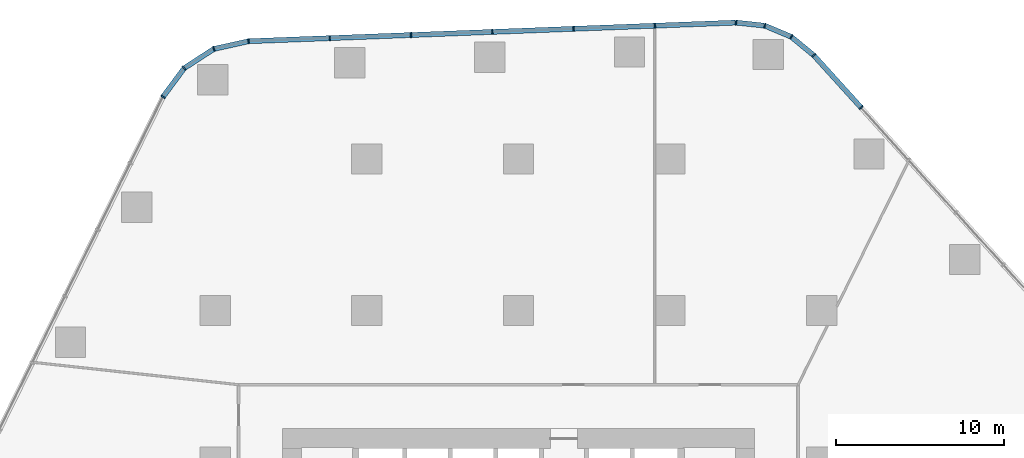
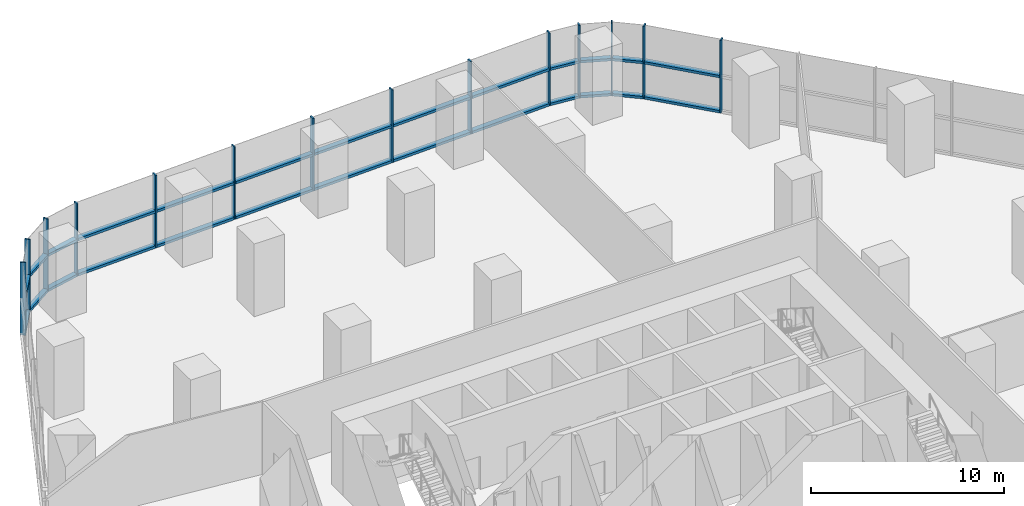
# One storey, part 7 of 15: 40 members, 4 elements without a shape of their own.
"""IFC4 building model written with IfcOpenShell, lengths in metres."""

from ifc_helpers import new_model, si_unit, direction, frame, origin, origin_2d, place, context, subcontext, project, spatial, rectangle, extrude, material, layer, layer_set, material_profile, profile_set, type_object, element, aggregate, save


model = new_model("IFC4")

# Units and contexts
model_context = context("Model", 3, precision=1e-05, world=origin(), true_north=direction((0.0, 1.0)))
body_context = subcontext(model_context, "Body", "Model", "MODEL_VIEW")
ifc_project = project(units=[si_unit("LENGTHUNIT", "METRE"), si_unit("AREAUNIT", "SQUARE_METRE"), si_unit("VOLUMEUNIT", "CUBIC_METRE"), si_unit("PLANEANGLEUNIT", "RADIAN"), si_unit("MASSUNIT", "GRAM", prefix="KILO")], contexts=[model_context])

# Site, building, storey
site_placement = place(None, origin())
site = spatial("IfcSite", under=ifc_project, at=site_placement, CompositionType="ELEMENT")
building_placement = place(site_placement, origin())
building = spatial("IfcBuilding", under=site, at=building_placement, Name="Dongbaek Canopy Tower", CompositionType="ELEMENT")
storey_placement = place(building_placement, frame((0.0, 0.0, 33.0)))
storey = spatial("IfcBuildingStorey", under=building, at=storey_placement, Name="L04", CompositionType="ELEMENT", Elevation=33.0)

# Curtain wall, members
ifc_material_1 = material(Name="Aluminium 6063-T6 pale anodised", Category="aluminium")
ifc_layer = layer(ifc_material_1, 0.300048828125)
ifc_layer_set = layer_set([ifc_layer], Name="CW-2 podium hall curtain wall")
curtain_wall_type = type_object("IfcCurtainWallType", Name="CW-2 podium hall curtain wall", PredefinedType="NOTDEFINED", material=ifc_layer_set)
curtain_wall_1_placement = place(storey_placement, origin())
curtain_wall_1 = element("IfcCurtainWall", 1, at=curtain_wall_1_placement, inside=storey, type_object=curtain_wall_type, Name="CW-2 curtain wall F0.1", PredefinedType="NOTDEFINED")
ifc_material_2 = material(Name="Aluminium 6063-T6 pale anodised", Category="aluminium")
ifc_material_profile_1 = material_profile(ifc_material_2, rectangle(XDim=0.300048828125, YDim=0.080078125, at=origin_2d()), Name="CW-2 mullion 80 x 300")
ifc_profile_set_1 = profile_set([ifc_material_profile_1], Name="Aluminium 6063-T6 pale anodised")
member_type_1 = type_object("IfcMemberType", Name="CW-2 mullion 80 x 300", PredefinedType="MULLION", material=ifc_profile_set_1)
member_1_placement = place(storey_placement, frame((20.33740234375, 30.047607421875, 0.0), z_axis=(0.0, 0.0, 1.0), x_axis=(0.741222236547, 0.671259708345, 0.0)))
member_1 = element("IfcMember", 2, at=member_1_placement, type_object=member_type_1, Name="CW-2 mullion F0.1.7", PredefinedType="MULLION", context=body_context, shape_type="SweptSolid", body=[
    extrude(rectangle(XDim=0.300048828125, YDim=0.080078125, at=origin_2d()), origin(), (0.0, 0.0, 1.0), 4.60009765625),
])
member_2_placement = place(storey_placement, frame((17.5263671875, 33.15185546875, 0.0), z_axis=(0.0, 0.0, 1.0), x_axis=(0.741222236547, 0.671259708345, 0.0)))
member_2 = element("IfcMember", 3, at=member_2_placement, type_object=member_type_1, Name="CW-2 mullion F0.1.8", PredefinedType="MULLION", context=body_context, shape_type="SweptSolid", body=[
    extrude(rectangle(XDim=0.300048828125, YDim=0.080078125, at=origin_2d()), origin(), (0.0, 0.0, 1.0), 4.60009765625),
])

curtain_wall_2_placement = place(storey_placement, origin())
curtain_wall_2 = element("IfcCurtainWall", 4, at=curtain_wall_2_placement, inside=storey, type_object=curtain_wall_type, Name="CW-2 curtain wall K0.1", PredefinedType="NOTDEFINED")
member_3_placement = place(storey_placement, frame((16.200439453125, 34.24462890625, 0.0), z_axis=(0.0, 0.0, 1.0), x_axis=(0.517430788753, 0.855725060315, 0.0)))
member_3 = element("IfcMember", 5, at=member_3_placement, type_object=member_type_1, Name="CW-2 mullion K0.1.2", PredefinedType="MULLION", context=body_context, shape_type="SweptSolid", body=[
    extrude(rectangle(XDim=0.300048828125, YDim=0.080078125, at=origin_2d()), origin(), (0.0, 0.0, 1.0), 4.60009765625),
])
member_4_placement = place(storey_placement, frame((14.62353515625, 34.908203125, 0.0), z_axis=(0.0, 0.0, 1.0), x_axis=(0.250118115276, 0.968215331634, 0.0)))
member_4 = element("IfcMember", 6, at=member_4_placement, type_object=member_type_1, Name="CW-2 mullion K0.1.3", PredefinedType="MULLION", context=body_context, shape_type="SweptSolid", body=[
    extrude(rectangle(XDim=0.300048828125, YDim=0.080078125, at=origin_2d()), origin(), (0.0, 0.0, 1.0), 4.60009765625),
])
member_5_placement = place(storey_placement, frame((12.915283203125, 35.092041015625, 0.0), z_axis=(0.0, 0.0, 1.0), x_axis=(0.107074580622, 0.994250991543, 0.0)))
member_5 = element("IfcMember", 7, at=member_5_placement, type_object=member_type_1, Name="CW-2 mullion K0.1.4", PredefinedType="MULLION", context=body_context, shape_type="SweptSolid", body=[
    extrude(rectangle(XDim=0.300048828125, YDim=0.080078125, at=origin_2d()), origin(), (0.0, 0.0, 1.0), 4.60009765625),
])

curtain_wall_3_placement = place(storey_placement, origin())
curtain_wall_3 = element("IfcCurtainWall", 8, at=curtain_wall_3_placement, inside=storey, type_object=curtain_wall_type, Name="CW-2 curtain wall F1.1", PredefinedType="NOTDEFINED")
member_6_placement = place(storey_placement, frame((8.0986328125, 34.907958984375, 0.0), z_axis=(0.0, 0.0, 1.0), x_axis=(-0.038231975991, 0.999268890746, 0.0)))
member_6 = element("IfcMember", 9, at=member_6_placement, type_object=member_type_1, Name="CW-2 mullion F1.1.2", PredefinedType="MULLION", context=body_context, shape_type="SweptSolid", body=[
    extrude(rectangle(XDim=0.300048828125, YDim=0.080078125, at=origin_2d()), origin(), (0.0, 0.0, 1.0), 4.60009765625),
])
member_7_placement = place(storey_placement, frame((3.27490234375, 34.723388671875, 0.0), z_axis=(0.0, 0.0, 1.0), x_axis=(-0.038231975991, 0.999268890746, 0.0)))
member_7 = element("IfcMember", 10, at=member_7_placement, type_object=member_type_1, Name="CW-2 mullion F1.1.3", PredefinedType="MULLION", context=body_context, shape_type="SweptSolid", body=[
    extrude(rectangle(XDim=0.300048828125, YDim=0.080078125, at=origin_2d()), origin(), (0.0, 0.0, 1.0), 4.60009765625),
])
member_8_placement = place(storey_placement, frame((-1.549072265625, 34.538818359375, 0.0), z_axis=(0.0, 0.0, 1.0), x_axis=(-0.038231975991, 0.999268890746, 0.0)))
member_8 = element("IfcMember", 11, at=member_8_placement, type_object=member_type_1, Name="CW-2 mullion F1.1.4", PredefinedType="MULLION", context=body_context, shape_type="SweptSolid", body=[
    extrude(rectangle(XDim=0.300048828125, YDim=0.080078125, at=origin_2d()), origin(), (0.0, 0.0, 1.0), 4.60009765625),
])
member_9_placement = place(storey_placement, frame((-6.372802734375, 34.354248046875, 0.0), z_axis=(0.0, 0.0, 1.0), x_axis=(-0.038231975991, 0.999268890746, 0.0)))
member_9 = element("IfcMember", 12, at=member_9_placement, type_object=member_type_1, Name="CW-2 mullion F1.1.5", PredefinedType="MULLION", context=body_context, shape_type="SweptSolid", body=[
    extrude(rectangle(XDim=0.300048828125, YDim=0.080078125, at=origin_2d()), origin(), (0.0, 0.0, 1.0), 4.60009765625),
])
member_10_placement = place(storey_placement, frame((-11.19677734375, 34.169677734375, 0.0), z_axis=(0.0, 0.0, 1.0), x_axis=(-0.038231975991, 0.999268890746, 0.0)))
member_10 = element("IfcMember", 13, at=member_10_placement, type_object=member_type_1, Name="CW-2 mullion F1.1.6", PredefinedType="MULLION", context=body_context, shape_type="SweptSolid", body=[
    extrude(rectangle(XDim=0.300048828125, YDim=0.080078125, at=origin_2d()), origin(), (0.0, 0.0, 1.0), 4.60009765625),
])
member_11_placement = place(storey_placement, frame((-16.01171875, 33.9853515625, 0.0), z_axis=(0.0, 0.0, 1.0), x_axis=(-0.038231975991, 0.999268890746, 0.0)))
member_11 = element("IfcMember", 14, at=member_11_placement, type_object=member_type_1, Name="CW-2 mullion F1.1.7", PredefinedType="MULLION", context=body_context, shape_type="SweptSolid", body=[
    extrude(rectangle(XDim=0.300048828125, YDim=0.080078125, at=origin_2d()), origin(), (0.0, 0.0, 1.0), 4.60009765625),
])

curtain_wall_4_placement = place(storey_placement, origin())
curtain_wall_4 = element("IfcCurtainWall", 15, at=curtain_wall_4_placement, inside=storey, type_object=curtain_wall_type, Name="CW-2 curtain wall K1.1", PredefinedType="NOTDEFINED")
member_12_placement = place(storey_placement, frame((-18.07421875, 33.529541015625, 0.0), z_axis=(0.0, 0.0, 1.0), x_axis=(-0.386403140373, 0.92232999144, 0.0)))
member_12 = element("IfcMember", 16, at=member_12_placement, type_object=member_type_1, Name="CW-2 mullion K1.1.2", PredefinedType="MULLION", context=body_context, shape_type="SweptSolid", body=[
    extrude(rectangle(XDim=0.300048828125, YDim=0.080078125, at=origin_2d()), origin(), (0.0, 0.0, 1.0), 4.60009765625),
])
member_13_placement = place(storey_placement, frame((-19.838134765625, 32.384033203125, 0.0), z_axis=(0.0, 0.0, 1.0), x_axis=(-0.685445734799, 0.728123715207, 0.0)))
member_13 = element("IfcMember", 17, at=member_13_placement, type_object=member_type_1, Name="CW-2 mullion K1.1.3", PredefinedType="MULLION", context=body_context, shape_type="SweptSolid", body=[
    extrude(rectangle(XDim=0.300048828125, YDim=0.080078125, at=origin_2d()), origin(), (0.0, 0.0, 1.0), 4.60009765625),
])
member_14_placement = place(storey_placement, frame((-21.093505859375, 30.685302734375, 0.0), z_axis=(0.0, 0.0, 1.0), x_axis=(-0.804277971373, 0.594253266515, 0.0)))
member_14 = element("IfcMember", 18, at=member_14_placement, type_object=member_type_1, Name="CW-2 mullion K1.1.4", PredefinedType="MULLION", context=body_context, shape_type="SweptSolid", body=[
    extrude(rectangle(XDim=0.300048828125, YDim=0.080078125, at=origin_2d()), origin(), (0.0, 0.0, 1.0), 4.60009765625),
])

# Member
ifc_material_3 = material(Name="Aluminium 6063-T6 pale anodised", Category="aluminium")
ifc_material_profile_2 = material_profile(ifc_material_3, rectangle(XDim=0.300048828125, YDim=0.159912109375, at=origin_2d()), Name="CW-2 transom 160 x 300")
ifc_profile_set_2 = profile_set([ifc_material_profile_2], Name="Aluminium 6063-T6 pale anodised")
member_type_2 = type_object("IfcMemberType", Name="CW-2 transom 160 x 300", PredefinedType="USERDEFINED", material=ifc_profile_set_2)
member_15_placement = place(storey_placement, frame((20.302490234375, 30.086181640625, 0.080078125), z_axis=(-0.671237292693, 0.741242535813, 0.0), x_axis=(-0.741242535813, -0.671237292693, 0.0)))
member_15 = element("IfcMember", 19, at=member_15_placement, type_object=member_type_2, Name="CW-2 transom F0.1.7.1", ObjectType="TRANSOM", PredefinedType="USERDEFINED", context=body_context, shape_type="SweptSolid", body=[
    extrude(rectangle(XDim=0.300048828125, YDim=0.159912109375, at=origin_2d()), origin(), (0.0, 0.0, 1.0), 4.083740234375),
])

member_16_placement = place(storey_placement, frame((20.302490234375, 30.086181640625, 2.300048828125), z_axis=(-0.671237292693, 0.741242535813, 0.0), x_axis=(-0.741242535813, -0.671237292693, 0.0)))
member_16 = element("IfcMember", 20, at=member_16_placement, type_object=member_type_2, Name="CW-2 transom F0.1.7.2", ObjectType="TRANSOM", PredefinedType="USERDEFINED", context=body_context, shape_type="SweptSolid", body=[
    extrude(rectangle(XDim=0.300048828125, YDim=0.159912109375, at=origin_2d()), origin(), (0.0, 0.0, 1.0), 4.083740234375),
])

aggregate(curtain_wall_1, [member_1, member_2, member_15, member_16])

member_17_placement = place(storey_placement, frame((17.486083984375, 33.184814453125, 0.080078125), z_axis=(-0.77162012157, 0.636083632857, 0.0), x_axis=(-0.636083632857, -0.77162012157, 0.0)))
member_17 = element("IfcMember", 21, at=member_17_placement, type_object=member_type_2, Name="CW-2 transom K0.1.1.1", ObjectType="TRANSOM", PredefinedType="USERDEFINED", context=body_context, shape_type="SweptSolid", body=[
    extrude(rectangle(XDim=0.300048828125, YDim=0.159912109375, at=origin_2d()), origin(), (0.0, 0.0, 1.0), 1.614013671875),
])

member_18_placement = place(storey_placement, frame((17.486083984375, 33.184814453125, 2.300048828125), z_axis=(-0.77162012157, 0.636083632857, 0.0), x_axis=(-0.636083632857, -0.77162012157, 0.0)))
member_18 = element("IfcMember", 22, at=member_18_placement, type_object=member_type_2, Name="CW-2 transom K0.1.1.2", ObjectType="TRANSOM", PredefinedType="USERDEFINED", context=body_context, shape_type="SweptSolid", body=[
    extrude(rectangle(XDim=0.300048828125, YDim=0.159912109375, at=origin_2d()), origin(), (0.0, 0.0, 1.0), 1.614013671875),
])

member_19_placement = place(storey_placement, frame((16.152587890625, 34.264892578125, 0.080078125), z_axis=(-0.921749747105, 0.387785254634, 0.0), x_axis=(-0.387785254634, -0.921749747105, 0.0)))
member_19 = element("IfcMember", 23, at=member_19_placement, type_object=member_type_2, Name="CW-2 transom K0.1.2.1", ObjectType="TRANSOM", PredefinedType="USERDEFINED", context=body_context, shape_type="SweptSolid", body=[
    extrude(rectangle(XDim=0.300048828125, YDim=0.159912109375, at=origin_2d()), origin(), (0.0, 0.0, 1.0), 1.606689453125),
])

member_20_placement = place(storey_placement, frame((16.152587890625, 34.264892578125, 2.300048828125), z_axis=(-0.921749747105, 0.387785254634, 0.0), x_axis=(-0.387785254634, -0.921749747105, 0.0)))
member_20 = element("IfcMember", 24, at=member_20_placement, type_object=member_type_2, Name="CW-2 transom K0.1.2.2", ObjectType="TRANSOM", PredefinedType="USERDEFINED", context=body_context, shape_type="SweptSolid", body=[
    extrude(rectangle(XDim=0.300048828125, YDim=0.159912109375, at=origin_2d()), origin(), (0.0, 0.0, 1.0), 1.606689453125),
])

member_21_placement = place(storey_placement, frame((14.572021484375, 34.913818359375, 0.080078125), z_axis=(-0.994250644842, 0.107077799901, 0.0), x_axis=(-0.107077799901, -0.994250644842, 0.0)))
member_21 = element("IfcMember", 25, at=member_21_placement, type_object=member_type_2, Name="CW-2 transom K0.1.3.1", ObjectType="TRANSOM", PredefinedType="USERDEFINED", context=body_context, shape_type="SweptSolid", body=[
    extrude(rectangle(XDim=0.300048828125, YDim=0.159912109375, at=origin_2d()), origin(), (0.0, 0.0, 1.0), 1.6142578125),
])

member_22_placement = place(storey_placement, frame((14.572021484375, 34.913818359375, 2.300048828125), z_axis=(-0.994250644842, 0.107077799901, 0.0), x_axis=(-0.107077799901, -0.994250644842, 0.0)))
member_22 = element("IfcMember", 26, at=member_22_placement, type_object=member_type_2, Name="CW-2 transom K0.1.3.2", ObjectType="TRANSOM", PredefinedType="USERDEFINED", context=body_context, shape_type="SweptSolid", body=[
    extrude(rectangle(XDim=0.300048828125, YDim=0.159912109375, at=origin_2d()), origin(), (0.0, 0.0, 1.0), 1.6142578125),
])

aggregate(curtain_wall_2, [member_3, member_4, member_5, member_17, member_18, member_19, member_20, member_21, member_22])

member_23_placement = place(storey_placement, frame((12.86328125, 35.090087890625, 0.080078125), z_axis=(-0.999269942085, -0.038204487243, 0.0), x_axis=(0.038204487243, -0.999269942085, 0.0)))
member_23 = element("IfcMember", 27, at=member_23_placement, type_object=member_type_2, Name="CW-2 transom F1.1.1.1", ObjectType="TRANSOM", PredefinedType="USERDEFINED", context=body_context, shape_type="SweptSolid", body=[
    extrude(rectangle(XDim=0.300048828125, YDim=0.159912109375, at=origin_2d()), origin(), (0.0, 0.0, 1.0), 4.716064453125),
])

member_24_placement = place(storey_placement, frame((12.86328125, 35.090087890625, 2.300048828125), z_axis=(-0.999269942085, -0.038204487243, 0.0), x_axis=(0.038204487243, -0.999269942085, 0.0)))
member_24 = element("IfcMember", 28, at=member_24_placement, type_object=member_type_2, Name="CW-2 transom F1.1.1.2", ObjectType="TRANSOM", PredefinedType="USERDEFINED", context=body_context, shape_type="SweptSolid", body=[
    extrude(rectangle(XDim=0.300048828125, YDim=0.159912109375, at=origin_2d()), origin(), (0.0, 0.0, 1.0), 4.716064453125),
])

member_25_placement = place(storey_placement, frame((8.046875, 34.906005859375, 0.080078125), z_axis=(-0.999268257886, -0.038248513466, 0.0), x_axis=(0.038248513466, -0.999268257886, 0.0)))
member_25 = element("IfcMember", 29, at=member_25_placement, type_object=member_type_2, Name="CW-2 transom F1.1.2.1", ObjectType="TRANSOM", PredefinedType="USERDEFINED", context=body_context, shape_type="SweptSolid", body=[
    extrude(rectangle(XDim=0.300048828125, YDim=0.159912109375, at=origin_2d()), origin(), (0.0, 0.0, 1.0), 4.723388671875),
])

member_26_placement = place(storey_placement, frame((8.046875, 34.906005859375, 2.300048828125), z_axis=(-0.999268257886, -0.038248513466, 0.0), x_axis=(0.038248513466, -0.999268257886, 0.0)))
member_26 = element("IfcMember", 30, at=member_26_placement, type_object=member_type_2, Name="CW-2 transom F1.1.2.2", ObjectType="TRANSOM", PredefinedType="USERDEFINED", context=body_context, shape_type="SweptSolid", body=[
    extrude(rectangle(XDim=0.300048828125, YDim=0.159912109375, at=origin_2d()), origin(), (0.0, 0.0, 1.0), 4.723388671875),
])

member_27_placement = place(storey_placement, frame((3.222900390625, 34.721435546875, 0.080078125), z_axis=(-0.999268257886, -0.038248513466, 0.0), x_axis=(0.038248513466, -0.999268257886, 0.0)))
member_27 = element("IfcMember", 31, at=member_27_placement, type_object=member_type_2, Name="CW-2 transom F1.1.3.1", ObjectType="TRANSOM", PredefinedType="USERDEFINED", context=body_context, shape_type="SweptSolid", body=[
    extrude(rectangle(XDim=0.300048828125, YDim=0.159912109375, at=origin_2d()), origin(), (0.0, 0.0, 1.0), 4.723388671875),
])

member_28_placement = place(storey_placement, frame((3.222900390625, 34.721435546875, 2.300048828125), z_axis=(-0.999268257886, -0.038248513466, 0.0), x_axis=(0.038248513466, -0.999268257886, 0.0)))
member_28 = element("IfcMember", 32, at=member_28_placement, type_object=member_type_2, Name="CW-2 transom F1.1.3.2", ObjectType="TRANSOM", PredefinedType="USERDEFINED", context=body_context, shape_type="SweptSolid", body=[
    extrude(rectangle(XDim=0.300048828125, YDim=0.159912109375, at=origin_2d()), origin(), (0.0, 0.0, 1.0), 4.723388671875),
])

member_29_placement = place(storey_placement, frame((-1.60107421875, 34.536865234375, 0.080078125), z_axis=(-0.999268257886, -0.038248513466, 0.0), x_axis=(0.038248513466, -0.999268257886, 0.0)))
member_29 = element("IfcMember", 33, at=member_29_placement, type_object=member_type_2, Name="CW-2 transom F1.1.4.1", ObjectType="TRANSOM", PredefinedType="USERDEFINED", context=body_context, shape_type="SweptSolid", body=[
    extrude(rectangle(XDim=0.300048828125, YDim=0.159912109375, at=origin_2d()), origin(), (0.0, 0.0, 1.0), 4.723388671875),
])

member_30_placement = place(storey_placement, frame((-1.60107421875, 34.536865234375, 2.300048828125), z_axis=(-0.999268257886, -0.038248513466, 0.0), x_axis=(0.038248513466, -0.999268257886, 0.0)))
member_30 = element("IfcMember", 34, at=member_30_placement, type_object=member_type_2, Name="CW-2 transom F1.1.4.2", ObjectType="TRANSOM", PredefinedType="USERDEFINED", context=body_context, shape_type="SweptSolid", body=[
    extrude(rectangle(XDim=0.300048828125, YDim=0.159912109375, at=origin_2d()), origin(), (0.0, 0.0, 1.0), 4.723388671875),
])

member_31_placement = place(storey_placement, frame((-6.4248046875, 34.352294921875, 0.080078125), z_axis=(-0.999268257886, -0.038248513466, 0.0), x_axis=(0.038248513466, -0.999268257886, 0.0)))
member_31 = element("IfcMember", 35, at=member_31_placement, type_object=member_type_2, Name="CW-2 transom F1.1.5.1", ObjectType="TRANSOM", PredefinedType="USERDEFINED", context=body_context, shape_type="SweptSolid", body=[
    extrude(rectangle(XDim=0.300048828125, YDim=0.159912109375, at=origin_2d()), origin(), (0.0, 0.0, 1.0), 4.723388671875),
])

member_32_placement = place(storey_placement, frame((-6.4248046875, 34.352294921875, 2.300048828125), z_axis=(-0.999268257886, -0.038248513466, 0.0), x_axis=(0.038248513466, -0.999268257886, 0.0)))
member_32 = element("IfcMember", 36, at=member_32_placement, type_object=member_type_2, Name="CW-2 transom F1.1.5.2", ObjectType="TRANSOM", PredefinedType="USERDEFINED", context=body_context, shape_type="SweptSolid", body=[
    extrude(rectangle(XDim=0.300048828125, YDim=0.159912109375, at=origin_2d()), origin(), (0.0, 0.0, 1.0), 4.723388671875),
])

member_33_placement = place(storey_placement, frame((-11.248779296875, 34.167724609375, 0.080078125), z_axis=(-0.999267433808, -0.038270036981, 0.0), x_axis=(0.038270036981, -0.999267433808, 0.0)))
member_33 = element("IfcMember", 37, at=member_33_placement, type_object=member_type_2, Name="CW-2 transom F1.1.6.1", ObjectType="TRANSOM", PredefinedType="USERDEFINED", context=body_context, shape_type="SweptSolid", body=[
    extrude(rectangle(XDim=0.300048828125, YDim=0.159912109375, at=origin_2d()), origin(), (0.0, 0.0, 1.0), 4.71435546875),
])

member_34_placement = place(storey_placement, frame((-11.248779296875, 34.167724609375, 2.300048828125), z_axis=(-0.999267433808, -0.038270036981, 0.0), x_axis=(0.038270036981, -0.999267433808, 0.0)))
member_34 = element("IfcMember", 38, at=member_34_placement, type_object=member_type_2, Name="CW-2 transom F1.1.6.2", ObjectType="TRANSOM", PredefinedType="USERDEFINED", context=body_context, shape_type="SweptSolid", body=[
    extrude(rectangle(XDim=0.300048828125, YDim=0.159912109375, at=origin_2d()), origin(), (0.0, 0.0, 1.0), 4.71435546875),
])

aggregate(curtain_wall_3, [member_6, member_7, member_8, member_9, member_10, member_11, member_23, member_24, member_25, member_26, member_27, member_28, member_29, member_30, member_31, member_32, member_33, member_34])

member_35_placement = place(storey_placement, frame((-16.0625, 33.97412109375, 0.080078125), z_axis=(-0.976440967433, -0.215784700846, 0.0), x_axis=(0.215784700846, -0.976440967433, 0.0)))
member_35 = element("IfcMember", 39, at=member_35_placement, type_object=member_type_2, Name="CW-2 transom K1.1.1.1", ObjectType="TRANSOM", PredefinedType="USERDEFINED", context=body_context, shape_type="SweptSolid", body=[
    extrude(rectangle(XDim=0.300048828125, YDim=0.159912109375, at=origin_2d()), origin(), (0.0, 0.0, 1.0), 2.00830078125),
])

member_36_placement = place(storey_placement, frame((-16.0625, 33.97412109375, 2.300048828125), z_axis=(-0.976440967433, -0.215784700846, 0.0), x_axis=(0.215784700846, -0.976440967433, 0.0)))
member_36 = element("IfcMember", 40, at=member_36_placement, type_object=member_type_2, Name="CW-2 transom K1.1.1.2", ObjectType="TRANSOM", PredefinedType="USERDEFINED", context=body_context, shape_type="SweptSolid", body=[
    extrude(rectangle(XDim=0.300048828125, YDim=0.159912109375, at=origin_2d()), origin(), (0.0, 0.0, 1.0), 2.00830078125),
])

member_37_placement = place(storey_placement, frame((-18.117919921875, 33.501220703125, 0.080078125), z_axis=(-0.838641667451, -0.544683535289, 0.0), x_axis=(0.544683535289, -0.838641667451, 0.0)))
member_37 = element("IfcMember", 41, at=member_37_placement, type_object=member_type_2, Name="CW-2 transom K1.1.2.1", ObjectType="TRANSOM", PredefinedType="USERDEFINED", context=body_context, shape_type="SweptSolid", body=[
    extrude(rectangle(XDim=0.300048828125, YDim=0.159912109375, at=origin_2d()), origin(), (0.0, 0.0, 1.0), 1.9990234375),
])

member_38_placement = place(storey_placement, frame((-18.117919921875, 33.501220703125, 2.300048828125), z_axis=(-0.838641667451, -0.544683535289, 0.0), x_axis=(0.544683535289, -0.838641667451, 0.0)))
member_38 = element("IfcMember", 42, at=member_38_placement, type_object=member_type_2, Name="CW-2 transom K1.1.2.2", ObjectType="TRANSOM", PredefinedType="USERDEFINED", context=body_context, shape_type="SweptSolid", body=[
    extrude(rectangle(XDim=0.300048828125, YDim=0.159912109375, at=origin_2d()), origin(), (0.0, 0.0, 1.0), 1.9990234375),
])

member_39_placement = place(storey_placement, frame((-19.869140625, 32.34228515625, 0.080078125), z_axis=(-0.594226975782, -0.804297396025, 0.0), x_axis=(0.804297396025, -0.594226975782, 0.0)))
member_39 = element("IfcMember", 43, at=member_39_placement, type_object=member_type_2, Name="CW-2 transom K1.1.3.1", ObjectType="TRANSOM", PredefinedType="USERDEFINED", context=body_context, shape_type="SweptSolid", body=[
    extrude(rectangle(XDim=0.300048828125, YDim=0.159912109375, at=origin_2d()), origin(), (0.0, 0.0, 1.0), 2.00830078125),
])

member_40_placement = place(storey_placement, frame((-19.869140625, 32.34228515625, 2.300048828125), z_axis=(-0.594226975782, -0.804297396025, 0.0), x_axis=(0.804297396025, -0.594226975782, 0.0)))
member_40 = element("IfcMember", 44, at=member_40_placement, type_object=member_type_2, Name="CW-2 transom K1.1.3.2", ObjectType="TRANSOM", PredefinedType="USERDEFINED", context=body_context, shape_type="SweptSolid", body=[
    extrude(rectangle(XDim=0.300048828125, YDim=0.159912109375, at=origin_2d()), origin(), (0.0, 0.0, 1.0), 2.00830078125),
])

aggregate(curtain_wall_4, [member_12, member_13, member_14, member_35, member_36, member_37, member_38, member_39, member_40])

save(model, "model.ifc")
